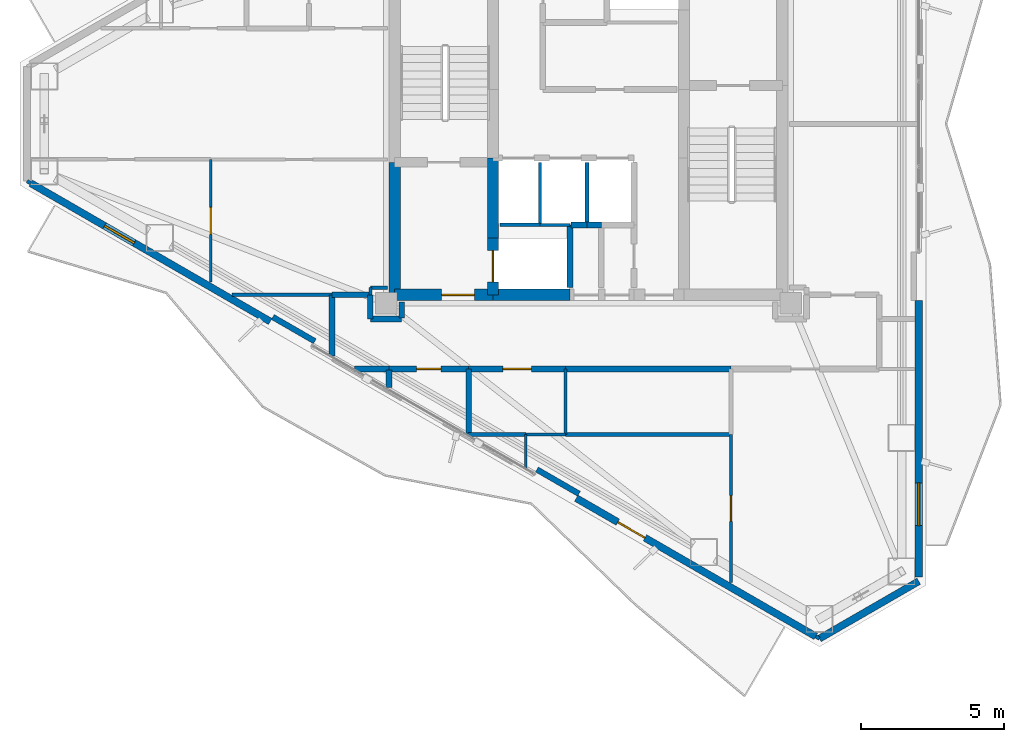
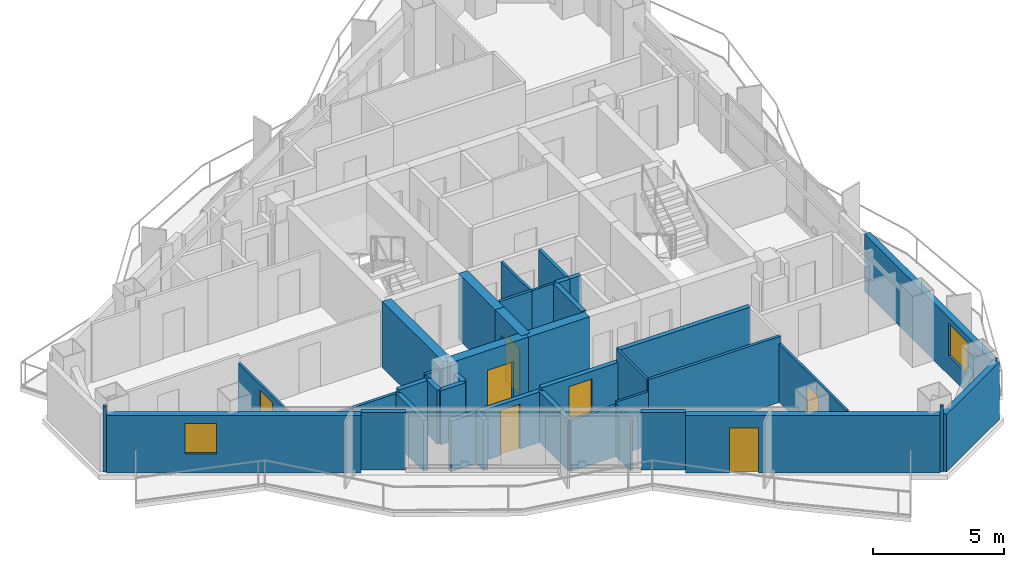
# One storey, part 16 of 22: 41 walls, 7 doors, 2 windows, 9 openings.
"""IFC4 building model written with IfcOpenShell, lengths in metres."""

from ifc_helpers import new_model, si_unit, direction, frame, frame_2d, origin, place, context, subcontext, project, spatial, rectangle, extrude, material, layer, layer_set, type_object, element, fill, save


model = new_model("IFC4")

# Units and contexts
model_context = context("Model", 3, precision=1e-05, world=origin(), true_north=direction((0.0, 1.0)))
body_context = subcontext(model_context, "Body", "Model", "MODEL_VIEW")
ifc_project = project(units=[si_unit("LENGTHUNIT", "METRE"), si_unit("AREAUNIT", "SQUARE_METRE"), si_unit("VOLUMEUNIT", "CUBIC_METRE"), si_unit("PLANEANGLEUNIT", "RADIAN"), si_unit("MASSUNIT", "GRAM", prefix="KILO")], contexts=[model_context])

# Site, building, storey
site_placement = place(None, origin())
site = spatial("IfcSite", under=ifc_project, at=site_placement, CompositionType="ELEMENT")
building_placement = place(site_placement, origin())
building = spatial("IfcBuilding", under=site, at=building_placement, Name="Mersakhor Tower and Convention Hall", CompositionType="ELEMENT")
storey_placement = place(building_placement, frame((0.0, 0.0, 188.699951171875)))
storey = spatial("IfcBuildingStorey", under=building, at=storey_placement, Name="L52", CompositionType="ELEMENT", Elevation=188.699951171875)

# Wall
ifc_material_1 = material(Name="Precast concrete C40/50", Category="concrete")
ifc_layer_1 = layer(ifc_material_1, 0.25)
ifc_layer_set_1 = layer_set([ifc_layer_1], Name="Precast concrete C40/50")
wall_type_1 = type_object("IfcWallType", Name="WL-EXT-250", PredefinedType="SOLIDWALL", material=ifc_layer_set_1)
wall_1_placement = place(storey_placement, frame((40.58837890625, 10.70166015625, 0.0), z_axis=(0.0, 0.0, 1.0), x_axis=(-0.866023907196, -0.500002592159, 0.0)))
element("IfcWall", 1, at=wall_1_placement, inside=storey, type_object=wall_type_1, Name="L52 Chamfer Braced Spandrel Wall C2", PredefinedType="SOLIDWALL", context=body_context, shape_type="SweptSolid", body=[
    extrude(rectangle(XDim=4.0234375, YDim=0.25, at=frame_2d((2.01171875, 0.0))), origin(), (0.0, 0.0, 1.0), 2.68994140625),
])

# Wall, opening, window
wall_2_placement = place(storey_placement, frame((40.58837890625, 20.550537109375, 0.0), z_axis=(0.0, 0.0, 1.0), x_axis=(0.0, -1.0, 0.0)))
wall_2 = element("IfcWall", 2, at=wall_2_placement, inside=storey, type_object=wall_type_1, Name="L52 Exterior Facade Wall F2-B3", PredefinedType="SOLIDWALL", context=body_context, shape_type="SweptSolid", body=[
    extrude(rectangle(XDim=9.698974609375, YDim=0.25, at=frame_2d((4.849609375, 0.0))), origin(), (0.0, 0.0, 1.0), 2.68994140625),
])
opening_1_placement = place(wall_2_placement, frame((6.39501953125, 0.0, 0.89990234375)))
opening_1 = element("IfcOpeningElement", 3, at=opening_1_placement, cuts=wall_2, Name="Opening W-02", PredefinedType="OPENING", context=body_context, shape_type="SweptSolid", body=[
    extrude(rectangle(XDim=1.5, YDim=1.5, at=frame_2d((0.75, 0.75))), frame((0.0, 0.135009765625, 0.0), z_axis=(0.0, -1.0, 0.0), x_axis=(1.0, 0.0, 0.0)), (0.0, 0.0, 1.0), 0.27001953125),
])
ifc_material_2 = material(Name="Dark solar low-E glazed aluminium window", Category="aluminium")
window_type_1 = type_object("IfcWindowType", Name="WN-RES-150x150", PartitioningType="SINGLE_PANEL", PredefinedType="WINDOW", material=ifc_material_2)
window_1_placement = place(opening_1_placement, origin())
window_1 = element("IfcWindow", 4, at=window_1_placement, inside=storey, type_object=window_type_1, Name="L52 Facade Punched Window F2-B3", OverallHeight=1.5, OverallWidth=1.5, PartitioningType="SINGLE_PANEL", PredefinedType="WINDOW", context=body_context, shape_type="SweptSolid", body=[
    extrude(rectangle(XDim=1.5, YDim=1.5, at=frame_2d((0.75, 0.75))), frame((0.0, 0.030029296875, 0.0), z_axis=(0.0, -1.0, 0.0), x_axis=(1.0, 0.0, 0.0)), (0.0, 0.0, 1.0), 0.06005859375),
])
fill(opening_1, window_1)

# Wall, opening, door
wall_3_placement = place(storey_placement, frame((36.97412109375, 8.764892578125, 0.0), z_axis=(0.0, 0.0, 1.0), x_axis=(-0.866016233231, 0.500015883528, 0.0)))
wall_3 = element("IfcWall", 5, at=wall_3_placement, inside=storey, type_object=wall_type_1, Name="L52 Exterior Facade Wall F3-B1", PredefinedType="SOLIDWALL", context=body_context, shape_type="SweptSolid", body=[
    extrude(rectangle(XDim=9.698974609375, YDim=0.25, at=frame_2d((4.849609375, 0.0))), origin(), (0.0, 0.0, 1.0), 2.68994140625),
])
opening_2_placement = place(wall_3_placement, frame((6.9189453125, 0.0, 0.0)))
opening_2 = element("IfcOpeningElement", 6, at=opening_2_placement, cuts=wall_3, Name="Opening BD-02", PredefinedType="OPENING", context=body_context, shape_type="SweptSolid", body=[
    extrude(rectangle(XDim=1.10009765625, YDim=2.10009765625, at=frame_2d((0.550048828125, 1.050048828125))), frame((0.0, 0.135009765625, 0.0), z_axis=(0.0, -1.0, 0.0), x_axis=(1.0, 0.0, 0.0)), (0.0, 0.0, 1.0), 0.27001953125),
])
ifc_material_3 = material(Name="Thermally broken dark aluminium and safety glass", Category="aluminium")
door_type_1 = type_object("IfcDoorType", Name="DR-BAL-110x210", OperationType="NOTDEFINED", PredefinedType="DOOR", material=ifc_material_3)
door_1_placement = place(opening_2_placement, origin())
door_1 = element("IfcDoor", 7, at=door_1_placement, inside=storey, type_object=door_type_1, Name="L52 Balcony Terrace Door F3-B1", OperationType="SINGLE_SWING_RIGHT", OverallHeight=2.10009765625, OverallWidth=1.10009765625, PredefinedType="DOOR", context=body_context, shape_type="SweptSolid", body=[
    extrude(rectangle(XDim=1.10009765625, YDim=2.10009765625, at=frame_2d((0.550048828125, 1.050048828125))), frame((0.0, 0.02490234375, 0.0), z_axis=(0.0, -1.0, 0.0), x_axis=(1.0, 0.0, 0.0)), (0.0, 0.0, 1.0), 0.050048828125),
])
fill(opening_2, door_1)

# Wall, opening, window
wall_4_placement = place(storey_placement, frame((17.8369140625, 19.81396484375, 0.0), z_axis=(0.0, 0.0, 1.0), x_axis=(-0.866027133173, 0.499997004599, 0.0)))
wall_4 = element("IfcWall", 8, at=wall_4_placement, inside=storey, type_object=wall_type_1, Name="L52 Exterior Facade Wall F3-B3", PredefinedType="SOLIDWALL", context=body_context, shape_type="SweptSolid", body=[
    extrude(rectangle(XDim=9.69873046875, YDim=0.25, at=frame_2d((4.849365234375, 0.0))), origin(), (0.0, 0.0, 1.0), 2.68994140625),
])
opening_3_placement = place(wall_4_placement, frame((5.511962890625, 0.0, 0.89990234375)))
opening_3 = element("IfcOpeningElement", 9, at=opening_3_placement, cuts=wall_4, Name="Opening W-01", PredefinedType="OPENING", context=body_context, shape_type="SweptSolid", body=[
    extrude(rectangle(XDim=1.199951171875, YDim=1.39990234375, at=frame_2d((0.60009765625, 0.699951171875))), frame((0.0, 0.135009765625, 0.0), z_axis=(0.0, -1.0, 0.0), x_axis=(1.0, 0.0, 0.0)), (0.0, 0.0, 1.0), 0.27001953125),
])
ifc_material_4 = material(Name="Dark solar low-E glazed aluminium window", Category="aluminium")
window_type_2 = type_object("IfcWindowType", Name="WN-RES-120x150", PartitioningType="SINGLE_PANEL", PredefinedType="WINDOW", material=ifc_material_4)
window_2_placement = place(opening_3_placement, origin())
window_2 = element("IfcWindow", 10, at=window_2_placement, inside=storey, type_object=window_type_2, Name="L52 Bedroom Facade Window F3-B3-1", OverallHeight=1.39990234375, OverallWidth=1.199951171875, PartitioningType="SINGLE_PANEL", PredefinedType="WINDOW", context=body_context, shape_type="SweptSolid", body=[
    extrude(rectangle(XDim=1.199951171875, YDim=1.39990234375, at=frame_2d((0.60009765625, 0.699951171875))), frame((0.0, 0.030029296875, 0.0), z_axis=(0.0, -1.0, 0.0), x_axis=(1.0, 0.0, 0.0)), (0.0, 0.0, 1.0), 0.06005859375),
])
fill(opening_3, window_2)

# Walls
ifc_material_5 = material(Name="Precast concrete C40/50", Category="concrete")
ifc_layer_2 = layer(ifc_material_5, 0.199951171875)
ifc_layer_set_2 = layer_set([ifc_layer_2], Name="Precast concrete C40/50")
wall_type_2 = type_object("IfcWallType", Name="WL-PAR-200", PredefinedType="PARAPET", material=ifc_layer_set_2)
wall_5_placement = place(storey_placement, frame((28.664794921875, 13.770263671875, 0.0), z_axis=(0.0, 0.0, 1.0), x_axis=(-0.866025371046, 0.500000056704, 0.0)))
element("IfcWall", 11, at=wall_5_placement, inside=storey, type_object=wall_type_2, Name="L52 Column Pier Cladding Wall F3-C1", PredefinedType="PARAPET", context=body_context, shape_type="SweptSolid", body=[
    extrude(rectangle(XDim=1.7001953125, YDim=0.199951171875, at=frame_2d((0.85009765625, 0.0))), origin(), (0.0, 0.0, 1.0), 2.68994140625),
])
wall_6_placement = place(storey_placement, frame((19.399169921875, 19.119873046875, 0.0), z_axis=(0.0, 0.0, 1.0), x_axis=(-0.86605165483, 0.499954529098, 0.0)))
element("IfcWall", 12, at=wall_6_placement, inside=storey, type_object=wall_type_2, Name="L52 Column Pier Cladding Wall F3-C2", PredefinedType="PARAPET", context=body_context, shape_type="SweptSolid", body=[
    extrude(rectangle(XDim=1.699951171875, YDim=0.199951171875, at=frame_2d((0.85009765625, 0.0))), origin(), (0.0, 0.0, 1.0), 2.68994140625),
])
ifc_material_6 = material(Name="Lightweight gypsum partition", Category="other")
ifc_layer_3 = layer(ifc_material_6, 0.10009765625)
ifc_layer_set_3 = layer_set([ifc_layer_3], Name="Lightweight gypsum partition")
wall_type_3 = type_object("IfcWallType", Name="WL-PRT-100", PredefinedType="PARTITIONING", material=ifc_layer_set_3)
wall_7_placement = place(storey_placement, frame((27.300048828125, 23.199951171875, 0.0), z_axis=(0.0, 0.0, 1.0), x_axis=(1.0, 0.0, 0.0)))
element("IfcWall", 13, at=wall_7_placement, inside=storey, type_object=wall_type_3, Name="L52 Interior Partition Wall P-002", PredefinedType="PARTITIONING", context=body_context, shape_type="SweptSolid", body=[
    extrude(rectangle(XDim=1.050048828125, YDim=0.10009765625, at=frame_2d((0.52490234375, 0.0))), origin(), (0.0, 0.0, 1.0), 3.070068359375),
])
wall_8_placement = place(storey_placement, frame((27.300048828125, 25.39990234375, 0.0), z_axis=(0.0, 0.0, 1.0), x_axis=(0.0, -1.0, 0.0)))
element("IfcWall", 14, at=wall_8_placement, inside=storey, type_object=wall_type_3, Name="L52 Interior Partition Wall P-006", PredefinedType="PARTITIONING", context=body_context, shape_type="SweptSolid", body=[
    extrude(rectangle(XDim=2.199951171875, YDim=0.10009765625, at=frame_2d((1.10009765625, 0.0))), origin(), (0.0, 0.0, 1.0), 3.070068359375),
])

# Wall, opening, door
wall_9_placement = place(storey_placement, frame((34.0, 10.654296875, 0.0), z_axis=(0.0, 0.0, 1.0), x_axis=(0.0, 1.0, 0.0)))
wall_9 = element("IfcWall", 15, at=wall_9_placement, inside=storey, type_object=wall_type_3, Name="L52 Interior Partition Wall P-072", PredefinedType="PARTITIONING", context=body_context, shape_type="SweptSolid", body=[
    extrude(rectangle(XDim=5.19580078125, YDim=0.10009765625, at=frame_2d((2.597900390625, 0.0))), origin(), (0.0, 0.0, 1.0), 2.734619140625),
])
opening_4_placement = place(wall_9_placement, frame((2.14794921875, 0.0, 0.0)))
opening_4 = element("IfcOpeningElement", 16, at=opening_4_placement, cuts=wall_9, Name="Opening WD-01", PredefinedType="OPENING", context=body_context, shape_type="SweptSolid", body=[
    extrude(rectangle(XDim=0.89990234375, YDim=2.10009765625, at=frame_2d((0.449951171875, 1.050048828125))), frame((0.0, 0.06005859375, 0.0), z_axis=(0.0, -1.0, 0.0), x_axis=(1.0, 0.0, 0.0)), (0.0, 0.0, 1.0), 0.1201171875),
])
ifc_material_7 = material(Name="Solid-core hardwood leaf in painted steel frame", Category="steel")
door_type_2 = type_object("IfcDoorType", Name="DR-INT-WET-090x210", OperationType="NOTDEFINED", PredefinedType="DOOR", material=ifc_material_7)
door_2_placement = place(opening_4_placement, origin())
door_2 = element("IfcDoor", 17, at=door_2_placement, inside=storey, type_object=door_type_2, Name="L52 L52 South-East Shared Pantry to L52 Floor Residents Study Room 2-3 Door", OperationType="SINGLE_SWING_LEFT", OverallHeight=2.10009765625, OverallWidth=0.89990234375, PredefinedType="DOOR", context=body_context, shape_type="SweptSolid", body=[
    extrude(rectangle(XDim=0.89990234375, YDim=2.10009765625, at=frame_2d((0.449951171875, 1.050048828125))), frame((0.0, 0.02490234375, 0.0), z_axis=(0.0, -1.0, 0.0), x_axis=(1.0, 0.0, 0.0)), (0.0, 0.0, 1.0), 0.050048828125),
])
fill(opening_4, door_2)

# Walls
wall_10_placement = place(storey_placement, frame((28.199951171875, 15.85009765625, 0.0), z_axis=(0.0, 0.0, 1.0), x_axis=(-1.0, 0.0, 0.0)))
element("IfcWall", 18, at=wall_10_placement, inside=storey, type_object=wall_type_3, Name="L52 Interior Partition Wall P-084", PredefinedType="PARTITIONING", context=body_context, shape_type="SweptSolid", body=[
    extrude(rectangle(XDim=1.39990234375, YDim=0.10009765625, at=frame_2d((0.699951171875, 0.0))), origin(), (0.0, 0.0, 1.0), 2.518310546875),
])
wall_11_placement = place(storey_placement, frame((28.199951171875, 18.14990234375, 0.0), z_axis=(0.0, 0.0, 1.0), x_axis=(0.0, -1.0, 0.0)))
element("IfcWall", 19, at=wall_11_placement, inside=storey, type_object=wall_type_3, Name="L52 Interior Partition Wall P-086", PredefinedType="PARTITIONING", context=body_context, shape_type="SweptSolid", body=[
    extrude(rectangle(XDim=2.2998046875, YDim=0.10009765625, at=frame_2d((1.14990234375, 0.0))), origin(), (0.0, 0.0, 1.0), 3.070068359375),
])
wall_12_placement = place(storey_placement, frame((26.800048828125, 14.682861328125, 0.0), z_axis=(0.0, 0.0, 1.0), x_axis=(0.0, 1.0, 0.0)))
element("IfcWall", 20, at=wall_12_placement, inside=storey, type_object=wall_type_3, Name="L52 Interior Partition Wall P-088", PredefinedType="PARTITIONING", context=body_context, shape_type="SweptSolid", body=[
    extrude(rectangle(XDim=1.167236328125, YDim=0.10009765625, at=frame_2d((0.58349609375, 0.0))), origin(), (0.0, 0.0, 1.0), 2.364990234375),
])

# Wall, opening, door
wall_13_placement = place(storey_placement, frame((15.75, 25.5, 0.0), z_axis=(0.0, 0.0, 1.0), x_axis=(0.0, -1.0, 0.0)))
wall_13 = element("IfcWall", 21, at=wall_13_placement, inside=storey, type_object=wall_type_3, Name="L52 Interior Partition Wall P-094", PredefinedType="PARTITIONING", context=body_context, shape_type="SweptSolid", body=[
    extrude(rectangle(XDim=4.30908203125, YDim=0.10009765625, at=frame_2d((2.154541015625, 0.0))), origin(), (0.0, 0.0, 1.0), 2.364990234375),
])
opening_5_placement = place(wall_13_placement, frame((1.6796875, 0.0, 0.0)))
opening_5 = element("IfcOpeningElement", 22, at=opening_5_placement, cuts=wall_13, Name="Opening RD-01", PredefinedType="OPENING", context=body_context, shape_type="SweptSolid", body=[
    extrude(rectangle(XDim=0.949951171875, YDim=2.10009765625, at=frame_2d((0.47509765625, 1.050048828125))), frame((0.0, 0.06005859375, 0.0), z_axis=(0.0, -1.0, 0.0), x_axis=(1.0, 0.0, 0.0)), (0.0, 0.0, 1.0), 0.1201171875),
])
ifc_material_8 = material(Name="Solid-core hardwood leaf in painted steel frame", Category="steel")
door_type_3 = type_object("IfcDoorType", Name="DR-INT-RM-095x210", OperationType="NOTDEFINED", PredefinedType="DOOR", material=ifc_material_8)
door_3_placement = place(opening_5_placement, origin())
door_3 = element("IfcDoor", 23, at=door_3_placement, inside=storey, type_object=door_type_3, Name="L52 L52 Flat W3 Bedroom 1 to L52 Flat W3 Study Room Door", OperationType="SINGLE_SWING_LEFT", OverallHeight=2.10009765625, OverallWidth=0.949951171875, PredefinedType="DOOR", context=body_context, shape_type="SweptSolid", body=[
    extrude(rectangle(XDim=0.949951171875, YDim=2.10009765625, at=frame_2d((0.47509765625, 1.050048828125))), frame((0.0, 0.02490234375, 0.0), z_axis=(0.0, -1.0, 0.0), x_axis=(1.0, 0.0, 0.0)), (0.0, 0.0, 1.0), 0.050048828125),
])
fill(opening_5, door_3)

# Walls
wall_14_placement = place(storey_placement, frame((21.35009765625, 21.0, 0.0), z_axis=(0.0, 0.0, 1.0), x_axis=(0.0, -1.0, 0.0)))
element("IfcWall", 24, at=wall_14_placement, inside=storey, type_object=wall_type_3, Name="L52 Interior Partition Wall P-096", PredefinedType="PARTITIONING", context=body_context, shape_type="SweptSolid", body=[
    extrude(rectangle(XDim=0.25, YDim=0.10009765625, at=frame_2d((0.125, 0.0))), origin(), (0.0, 0.0, 1.0), 2.518310546875),
])
ifc_material_9 = material(Name="Gypsum board acoustic partition", Category="other")
ifc_layer_4 = layer(ifc_material_9, 0.125)
ifc_layer_set_4 = layer_set([ifc_layer_4], Name="Gypsum board acoustic partition")
wall_type_4 = type_object("IfcWallType", Name="WL-PRT-125", PredefinedType="PARTITIONING", material=ifc_layer_set_4)
wall_15_placement = place(storey_placement, frame((25.89990234375, 23.199951171875, 0.0), z_axis=(0.0, 0.0, 1.0), x_axis=(1.0, 0.0, 0.0)))
element("IfcWall", 25, at=wall_15_placement, inside=storey, type_object=wall_type_4, Name="L52 Interior Partition Wall P-001", PredefinedType="PARTITIONING", context=body_context, shape_type="SweptSolid", body=[
    extrude(rectangle(XDim=1.400146484375, YDim=0.125, at=frame_2d((0.7001953125, 0.0))), origin(), (0.0, 0.0, 1.0), 3.070068359375),
])
wall_16_placement = place(storey_placement, frame((28.949951171875, 25.39990234375, 0.0), z_axis=(0.0, 0.0, 1.0), x_axis=(0.0, -1.0, 0.0)))
element("IfcWall", 26, at=wall_16_placement, inside=storey, type_object=wall_type_4, Name="L52 Interior Partition Wall P-007", PredefinedType="PARTITIONING", context=body_context, shape_type="SweptSolid", body=[
    extrude(rectangle(XDim=2.199951171875, YDim=0.125, at=frame_2d((1.10009765625, 0.0))), origin(), (0.0, 0.0, 1.0), 3.070068359375),
])
wall_17_placement = place(storey_placement, frame((37.10400390625, 8.68994140625, 0.0), z_axis=(0.0, 0.0, 1.0), x_axis=(-0.866131372301, 0.499816412211, 0.0)))
element("IfcWall", 27, at=wall_17_placement, inside=storey, type_object=wall_type_4, Name="L52 Interior Partition Wall P-071", PredefinedType="PARTITIONING", context=body_context, shape_type="SweptSolid", body=[
    extrude(rectangle(XDim=0.14990234375, YDim=0.125, at=frame_2d((0.074951171875, 0.0))), origin(), (0.0, 0.0, 1.0), 3.070068359375),
])
wall_18_placement = place(storey_placement, frame((26.800048828125, 15.85009765625, 0.0), z_axis=(0.0, 0.0, 1.0), x_axis=(-1.0, 0.0, 0.0)))
element("IfcWall", 28, at=wall_18_placement, inside=storey, type_object=wall_type_4, Name="L52 Interior Partition Wall P-085", PredefinedType="PARTITIONING", context=body_context, shape_type="SweptSolid", body=[
    extrude(rectangle(XDim=2.028564453125, YDim=0.125, at=frame_2d((1.01416015625, 0.0))), origin(), (0.0, 0.0, 1.0), 2.364990234375),
])
wall_19_placement = place(storey_placement, frame((28.199951171875, 15.85009765625, 0.0), z_axis=(0.0, 0.0, 1.0), x_axis=(1.0, 0.0, 0.0)))
element("IfcWall", 29, at=wall_19_placement, inside=storey, type_object=wall_type_4, Name="L52 Interior Partition Wall P-087", PredefinedType="PARTITIONING", context=body_context, shape_type="SweptSolid", body=[
    extrude(rectangle(XDim=5.800048828125, YDim=0.125, at=frame_2d((2.89990234375, 0.0))), origin(), (0.0, 0.0, 1.0), 3.070068359375),
])
wall_20_placement = place(storey_placement, frame((9.437255859375, 24.662841796875, 0.0), z_axis=(0.0, 0.0, 1.0), x_axis=(-0.866239593359, 0.499628829129, 0.0)))
element("IfcWall", 30, at=wall_20_placement, inside=storey, type_object=wall_type_4, Name="L52 Interior Partition Wall P-093", PredefinedType="PARTITIONING", context=body_context, shape_type="SweptSolid", body=[
    extrude(rectangle(XDim=0.150390625, YDim=0.125, at=frame_2d((0.0751953125, 0.0))), origin(), (0.0, 0.0, 1.0), 3.070068359375),
])
wall_21_placement = place(storey_placement, frame((21.949951171875, 21.0, 0.0), z_axis=(0.0, 0.0, 1.0), x_axis=(-1.0, 0.0, 0.0)))
element("IfcWall", 31, at=wall_21_placement, inside=storey, type_object=wall_type_4, Name="L52 Interior Partition Wall P-095", PredefinedType="PARTITIONING", context=body_context, shape_type="SweptSolid", body=[
    extrude(rectangle(XDim=0.599853515625, YDim=0.125, at=frame_2d((0.2998046875, 0.0))), origin(), (0.0, 0.0, 1.0), 2.594970703125),
])
wall_22_placement = place(storey_placement, frame((20.0, 20.75, 0.0), z_axis=(0.0, 0.0, 1.0), x_axis=(-1.0, 0.0, 0.0)))
element("IfcWall", 32, at=wall_22_placement, inside=storey, type_object=wall_type_4, Name="L52 Interior Partition Wall P-097", PredefinedType="PARTITIONING", context=body_context, shape_type="SweptSolid", body=[
    extrude(rectangle(XDim=3.513671875, YDim=0.125, at=frame_2d((1.7568359375, 0.0))), origin(), (0.0, 0.0, 1.0), 2.364990234375),
])
ifc_material_10 = material(Name="Acoustic concrete blockwork and gypsum board", Category="masonry")
ifc_layer_5 = layer(ifc_material_10, 0.199951171875)
ifc_layer_set_5 = layer_set([ifc_layer_5], Name="Acoustic concrete blockwork and gypsum board")
wall_type_5 = type_object("IfcWallType", Name="WL-PRT-200", PredefinedType="PARTITIONING", material=ifc_layer_set_5)
wall_23_placement = place(storey_placement, frame((28.35009765625, 23.199951171875, 0.0), z_axis=(0.0, 0.0, 1.0), x_axis=(0.0, -1.0, 0.0)))
element("IfcWall", 33, at=wall_23_placement, inside=storey, type_object=wall_type_5, Name="L52 Interior Partition Wall P-003", PredefinedType="PARTITIONING", context=body_context, shape_type="SweptSolid", body=[
    extrude(rectangle(XDim=2.199951171875, YDim=0.199951171875, at=frame_2d((1.10009765625, 0.0))), origin(), (0.0, 0.0, 1.0), 3.070068359375),
])
wall_24_placement = place(storey_placement, frame((28.949951171875, 23.199951171875, 0.0), z_axis=(0.0, 0.0, 1.0), x_axis=(-1.0, 0.0, 0.0)))
element("IfcWall", 34, at=wall_24_placement, inside=storey, type_object=wall_type_5, Name="L52 Interior Partition Wall P-008", PredefinedType="PARTITIONING", context=body_context, shape_type="SweptSolid", body=[
    extrude(rectangle(XDim=0.570068359375, YDim=0.199951171875, at=frame_2d((0.28515625, 0.0))), origin(), (0.0, 0.0, 1.0), 3.070068359375),
])
wall_25_placement = place(storey_placement, frame((29.449951171875, 23.199951171875, 0.0), z_axis=(0.0, 0.0, 1.0), x_axis=(-1.0, 0.0, 0.0)))
element("IfcWall", 35, at=wall_25_placement, inside=storey, type_object=wall_type_5, Name="L52 Interior Partition Wall P-011", PredefinedType="PARTITIONING", context=body_context, shape_type="SweptSolid", body=[
    extrude(rectangle(XDim=0.5, YDim=0.199951171875, at=frame_2d((0.25, 0.0))), origin(), (0.0, 0.0, 1.0), 3.070068359375),
])
wall_26_placement = place(storey_placement, frame((20.0, 20.75, 0.0), z_axis=(0.0, 0.0, 1.0), x_axis=(1.0, 0.0, 0.0)))
element("IfcWall", 36, at=wall_26_placement, inside=storey, type_object=wall_type_5, Name="L52 Interior Partition Wall P-032", PredefinedType="PARTITIONING", context=body_context, shape_type="SweptSolid", body=[
    extrude(rectangle(XDim=1.35009765625, YDim=0.199951171875, at=frame_2d((0.675048828125, 0.0))), origin(), (0.0, 0.0, 1.0), 2.518310546875),
])
wall_27_placement = place(storey_placement, frame((21.35009765625, 20.75, 0.0), z_axis=(0.0, 0.0, 1.0), x_axis=(0.0, -1.0, 0.0)))
element("IfcWall", 37, at=wall_27_placement, inside=storey, type_object=wall_type_5, Name="L52 Interior Partition Wall P-033", PredefinedType="PARTITIONING", context=body_context, shape_type="SweptSolid", body=[
    extrude(rectangle(XDim=0.85009765625, YDim=0.199951171875, at=frame_2d((0.425048828125, 0.0))), origin(), (0.0, 0.0, 1.0), 2.518310546875),
])
wall_28_placement = place(storey_placement, frame((21.35009765625, 19.89990234375, 0.0), z_axis=(0.0, 0.0, 1.0), x_axis=(1.0, 0.0, 0.0)))
element("IfcWall", 38, at=wall_28_placement, inside=storey, type_object=wall_type_5, Name="L52 Interior Partition Wall P-034", PredefinedType="PARTITIONING", context=body_context, shape_type="SweptSolid", body=[
    extrude(rectangle(XDim=1.099853515625, YDim=0.199951171875, at=frame_2d((0.5498046875, 0.0))), origin(), (0.0, 0.0, 1.0), 2.518310546875),
])
wall_29_placement = place(storey_placement, frame((22.449951171875, 19.929931640625, 0.0), z_axis=(0.0, 0.0, 1.0), x_axis=(0.0, 1.0, 0.0)))
element("IfcWall", 39, at=wall_29_placement, inside=storey, type_object=wall_type_5, Name="L52 Interior Partition Wall P-035", PredefinedType="PARTITIONING", context=body_context, shape_type="SweptSolid", body=[
    extrude(rectangle(XDim=0.570068359375, YDim=0.199951171875, at=frame_2d((0.28515625, 0.0))), origin(), (0.0, 0.0, 1.0), 2.518310546875),
])
wall_30_placement = place(storey_placement, frame((34.0, 18.14990234375, 0.0), z_axis=(0.0, 0.0, 1.0), x_axis=(-1.0, 0.0, 0.0)))
element("IfcWall", 40, at=wall_30_placement, inside=storey, type_object=wall_type_5, Name="L52 Interior Partition Wall P-043", PredefinedType="PARTITIONING", context=body_context, shape_type="SweptSolid", body=[
    extrude(rectangle(XDim=5.800048828125, YDim=0.199951171875, at=frame_2d((2.89990234375, 0.0))), origin(), (0.0, 0.0, 1.0), 3.070068359375),
])

# Wall, opening, door
wall_31_placement = place(storey_placement, frame((28.199951171875, 18.14990234375, 0.0), z_axis=(0.0, 0.0, 1.0), x_axis=(-1.0, 0.0, 0.0)))
wall_31 = element("IfcWall", 41, at=wall_31_placement, inside=storey, type_object=wall_type_5, Name="L52 Interior Partition Wall P-044", PredefinedType="PARTITIONING", context=body_context, shape_type="SweptSolid", body=[
    extrude(rectangle(XDim=3.39990234375, YDim=0.199951171875, at=frame_2d((1.699951171875, 0.0))), origin(), (0.0, 0.0, 1.0), 2.518310546875),
])
opening_6_placement = place(wall_31_placement, frame((1.199951171875, 0.0, 0.0)))
opening_6 = element("IfcOpeningElement", 42, at=opening_6_placement, cuts=wall_31, Name="Opening FD-01", PredefinedType="OPENING", context=body_context, shape_type="SweptSolid", body=[
    extrude(rectangle(XDim=1.0, YDim=2.14990234375, at=frame_2d((0.5, 1.074951171875))), frame((0.0, 0.10986328125, 0.0), z_axis=(0.0, -1.0, 0.0), x_axis=(1.0, 0.0, 0.0)), (0.0, 0.0, 1.0), 0.219970703125),
])
ifc_material_11 = material(Name="Fire-rated hardwood leaf and painted steel frame", Category="steel")
door_type_4 = type_object("IfcDoorType", Name="DR-INT-FLT-100x215", OperationType="NOTDEFINED", PredefinedType="DOOR", material=ifc_material_11)
door_4_placement = place(opening_6_placement, origin())
door_4 = element("IfcDoor", 43, at=door_4_placement, inside=storey, type_object=door_type_4, Name="L52 Residential South Gallery Corridor to L52 Floor Shared Tea Pantry 2-2 Door", OperationType="SINGLE_SWING_LEFT", OverallHeight=2.14990234375, OverallWidth=1.0, PredefinedType="DOOR", context=body_context, shape_type="SweptSolid", body=[
    extrude(rectangle(XDim=1.0, YDim=2.14990234375, at=frame_2d((0.5, 1.074951171875))), frame((0.0, 0.02490234375, 0.0), z_axis=(0.0, -1.0, 0.0), x_axis=(1.0, 0.0, 0.0)), (0.0, 0.0, 1.0), 0.050048828125),
])
fill(opening_6, door_4)

wall_32_placement = place(storey_placement, frame((24.800048828125, 18.14990234375, 0.0), z_axis=(0.0, 0.0, 1.0), x_axis=(-1.0, 0.0, 0.0)))
wall_32 = element("IfcWall", 44, at=wall_32_placement, inside=storey, type_object=wall_type_5, Name="L52 Interior Partition Wall P-045", PredefinedType="PARTITIONING", context=body_context, shape_type="SweptSolid", body=[
    extrude(rectangle(XDim=2.800048828125, YDim=0.199951171875, at=frame_2d((1.39990234375, 0.0))), origin(), (0.0, 0.0, 1.0), 2.364990234375),
])
opening_7_placement = place(wall_32_placement, frame((0.97509765625, 0.0, 0.0)))
opening_7 = element("IfcOpeningElement", 45, at=opening_7_placement, cuts=wall_32, Name="Opening SVD-01", PredefinedType="OPENING", context=body_context, shape_type="SweptSolid", body=[
    extrude(rectangle(XDim=0.85009765625, YDim=2.10009765625, at=frame_2d((0.425048828125, 1.050048828125))), frame((0.0, 0.10986328125, 0.0), z_axis=(0.0, -1.0, 0.0), x_axis=(1.0, 0.0, 0.0)), (0.0, 0.0, 1.0), 0.219970703125),
])
ifc_material_12 = material(Name="Fire-rated hardwood leaf and painted steel frame", Category="steel")
door_type_5 = type_object("IfcDoorType", Name="DR-INT-SVC-085x210", OperationType="NOTDEFINED", PredefinedType="DOOR", material=ifc_material_12)
door_5_placement = place(opening_7_placement, origin())
door_5 = element("IfcDoor", 46, at=door_5_placement, inside=storey, type_object=door_type_5, Name="L52 Residential South Gallery Corridor to L52 Floor Household Store Room 2-1 Door", OperationType="SINGLE_SWING_RIGHT", OverallHeight=2.10009765625, OverallWidth=0.85009765625, PredefinedType="DOOR", context=body_context, shape_type="SweptSolid", body=[
    extrude(rectangle(XDim=0.85009765625, YDim=2.10009765625, at=frame_2d((0.425048828125, 1.050048828125))), frame((0.0, 0.02490234375, 0.0), z_axis=(0.0, -1.0, 0.0), x_axis=(1.0, 0.0, 0.0)), (0.0, 0.0, 1.0), 0.050048828125),
])
fill(opening_7, door_5)

# Walls
wall_33_placement = place(storey_placement, frame((22.0, 18.14990234375, 0.0), z_axis=(0.0, 0.0, 1.0), x_axis=(-1.0, 0.0, 0.0)))
element("IfcWall", 47, at=wall_33_placement, inside=storey, type_object=wall_type_5, Name="L52 Interior Partition Wall P-046", PredefinedType="PARTITIONING", context=body_context, shape_type="SweptSolid", body=[
    extrude(rectangle(XDim=1.2119140625, YDim=0.199951171875, at=frame_2d((0.60595703125, 0.0))), origin(), (0.0, 0.0, 1.0), 2.364990234375),
])
wall_34_placement = place(storey_placement, frame((20.0, 18.60888671875, 0.0), z_axis=(0.0, 0.0, 1.0), x_axis=(0.0, 1.0, 0.0)))
element("IfcWall", 48, at=wall_34_placement, inside=storey, type_object=wall_type_5, Name="L52 Interior Partition Wall P-047", PredefinedType="PARTITIONING", context=body_context, shape_type="SweptSolid", body=[
    extrude(rectangle(XDim=2.14111328125, YDim=0.199951171875, at=frame_2d((1.070556640625, 0.0))), origin(), (0.0, 0.0, 1.0), 2.364990234375),
])
wall_35_placement = place(storey_placement, frame((24.800048828125, 18.14990234375, 0.0), z_axis=(0.0, 0.0, 1.0), x_axis=(0.0, -1.0, 0.0)))
element("IfcWall", 49, at=wall_35_placement, inside=storey, type_object=wall_type_5, Name="L52 Interior Partition Wall P-082", PredefinedType="PARTITIONING", context=body_context, shape_type="SweptSolid", body=[
    extrude(rectangle(XDim=2.312255859375, YDim=0.199951171875, at=frame_2d((1.15625, 0.0))), origin(), (0.0, 0.0, 1.0), 2.364990234375),
])
wall_36_placement = place(storey_placement, frame((22.0, 17.499267578125, 0.0), z_axis=(0.0, 0.0, 1.0), x_axis=(0.0, 1.0, 0.0)))
element("IfcWall", 50, at=wall_36_placement, inside=storey, type_object=wall_type_5, Name="L52 Interior Partition Wall P-083", PredefinedType="PARTITIONING", context=body_context, shape_type="SweptSolid", body=[
    extrude(rectangle(XDim=0.620849609375, YDim=0.199951171875, at=frame_2d((0.310546875, 0.0))), origin(), (0.0, 0.0, 1.0), 2.364990234375),
])
ifc_material_13 = material(Name="Concrete C60/75", Category="concrete")
ifc_layer_6 = layer(ifc_material_13, 0.39990234375)
ifc_layer_set_6 = layer_set([ifc_layer_6], Name="Concrete C60/75")
wall_type_6 = type_object("IfcWallType", Name="WL-SHR-400", PredefinedType="SHEAR", material=ifc_layer_set_6)
wall_37_placement = place(storey_placement, frame((22.199951171875, 20.75, 0.0), z_axis=(0.0, 0.0, 1.0), x_axis=(0.0, 1.0, 0.0)))
element("IfcWall", 51, at=wall_37_placement, inside=storey, type_object=wall_type_6, Name="L52 Core Wall CW-W1", PredefinedType="SHEAR", context=body_context, shape_type="SweptSolid", body=[
    extrude(rectangle(XDim=4.64990234375, YDim=0.39990234375, at=frame_2d((2.324951171875, 0.0))), origin(), (0.0, 0.0, 1.0), 3.070068359375),
])
wall_38_placement = place(storey_placement, frame((28.35009765625, 20.75, 0.0), z_axis=(0.0, 0.0, 1.0), x_axis=(-1.0, 0.0, 0.0)))
element("IfcWall", 52, at=wall_38_placement, inside=storey, type_object=wall_type_6, Name="L52 Core Wall CW-S3", PredefinedType="SHEAR", context=body_context, shape_type="SweptSolid", body=[
    extrude(rectangle(XDim=2.7001953125, YDim=0.39990234375, at=frame_2d((1.35009765625, 0.0))), origin(), (0.0, 0.0, 1.0), 3.070068359375),
])

# Wall, opening, door
wall_39_placement = place(storey_placement, frame((25.64990234375, 20.75, 0.0), z_axis=(0.0, 0.0, 1.0), x_axis=(-1.0, 0.0, 0.0)))
wall_39 = element("IfcWall", 53, at=wall_39_placement, inside=storey, type_object=wall_type_6, Name="L52 Core Wall CW-S4", PredefinedType="SHEAR", context=body_context, shape_type="SweptSolid", body=[
    extrude(rectangle(XDim=3.449951171875, YDim=0.39990234375, at=frame_2d((1.72509765625, 0.0))), origin(), (0.0, 0.0, 1.0), 3.070068359375),
])
opening_8_placement = place(wall_39_placement, frame((0.64990234375, 0.0, 0.0)))
opening_8 = element("IfcOpeningElement", 54, at=opening_8_placement, cuts=wall_39, Name="Opening SD-01", PredefinedType="OPENING", context=body_context, shape_type="SweptSolid", body=[
    extrude(rectangle(XDim=1.14990234375, YDim=2.14990234375, at=frame_2d((0.574951171875, 1.074951171875))), frame((0.0, 0.2099609375, 0.0), z_axis=(0.0, -1.0, 0.0), x_axis=(1.0, 0.0, 0.0)), (0.0, 0.0, 1.0), 0.419921875),
])
ifc_material_14 = material(Name="Fire-rated hardwood leaf and painted steel frame", Category="steel")
door_type_6 = type_object("IfcDoorType", Name="DR-INT-STAIR-115x215", OperationType="NOTDEFINED", PredefinedType="DOOR", material=ifc_material_14)
door_6_placement = place(opening_8_placement, origin())
door_6 = element("IfcDoor", 55, at=door_6_placement, inside=storey, type_object=door_type_6, Name="L52 Firefighting Lobby West Fire Door", OperationType="SINGLE_SWING_LEFT", OverallHeight=2.14990234375, OverallWidth=1.14990234375, PredefinedType="DOOR", context=body_context, shape_type="SweptSolid", body=[
    extrude(rectangle(XDim=1.14990234375, YDim=2.14990234375, at=frame_2d((0.574951171875, 1.074951171875))), frame((0.0, 0.02490234375, 0.0), z_axis=(0.0, -1.0, 0.0), x_axis=(1.0, 0.0, 0.0)), (0.0, 0.0, 1.0), 0.050048828125),
])
fill(opening_8, door_6)

wall_40_placement = place(storey_placement, frame((25.64990234375, 20.75, 0.0), z_axis=(0.0, 0.0, 1.0), x_axis=(0.0, 1.0, 0.0)))
wall_40 = element("IfcWall", 56, at=wall_40_placement, inside=storey, type_object=wall_type_6, Name="L52 Core Wall CS-W-FFL", PredefinedType="SHEAR", context=body_context, shape_type="SweptSolid", body=[
    extrude(rectangle(XDim=2.0, YDim=0.39990234375, at=frame_2d((1.0, 0.0))), origin(), (0.0, 0.0, 1.0), 3.070068359375),
])
opening_9_placement = place(wall_40_placement, frame((0.449951171875, 0.0, 0.0)))
opening_9 = element("IfcOpeningElement", 57, at=opening_9_placement, cuts=wall_40, Name="Opening LD-FFL1", PredefinedType="OPENING", context=body_context, shape_type="SweptSolid", body=[
    extrude(rectangle(XDim=1.10009765625, YDim=2.14990234375, at=frame_2d((0.550048828125, 1.074951171875))), frame((0.0, 0.2099609375, 0.0), z_axis=(0.0, -1.0, 0.0), x_axis=(1.0, 0.0, 0.0)), (0.0, 0.0, 1.0), 0.419921875),
])
ifc_material_15 = material(Name="Fire-rated brushed stainless steel sliding landing door", Category="steel")
door_type_7 = type_object("IfcDoorType", Name="DR-LIFT-SLD-110x215", OperationType="NOTDEFINED", PredefinedType="DOOR", material=ifc_material_15)
door_7_placement = place(opening_9_placement, origin())
door_7 = element("IfcDoor", 58, at=door_7_placement, inside=storey, type_object=door_type_7, Name="L52 Firefighting Lift Landing Door LD-FFL1", OperationType="SLIDING_TO_LEFT", OverallHeight=2.14990234375, OverallWidth=1.10009765625, PredefinedType="DOOR", context=body_context, shape_type="SweptSolid", body=[
    extrude(rectangle(XDim=1.10009765625, YDim=2.14990234375, at=frame_2d((0.550048828125, 1.074951171875))), frame((0.0, 0.02490234375, 0.0), z_axis=(0.0, -1.0, 0.0), x_axis=(1.0, 0.0, 0.0)), (0.0, 0.0, 1.0), 0.050048828125),
])
fill(opening_9, door_7)

# Wall
wall_41_placement = place(storey_placement, frame((25.64990234375, 22.75, 0.0), z_axis=(0.0, 0.0, 1.0), x_axis=(0.0, 1.0, 0.0)))
element("IfcWall", 59, at=wall_41_placement, inside=storey, type_object=wall_type_6, Name="L52 Core Wall CS-W-MID", PredefinedType="SHEAR", context=body_context, shape_type="SweptSolid", body=[
    extrude(rectangle(XDim=2.800048828125, YDim=0.39990234375, at=frame_2d((1.39990234375, 0.0))), origin(), (0.0, 0.0, 1.0), 3.070068359375),
])

save(model, "model.ifc")
